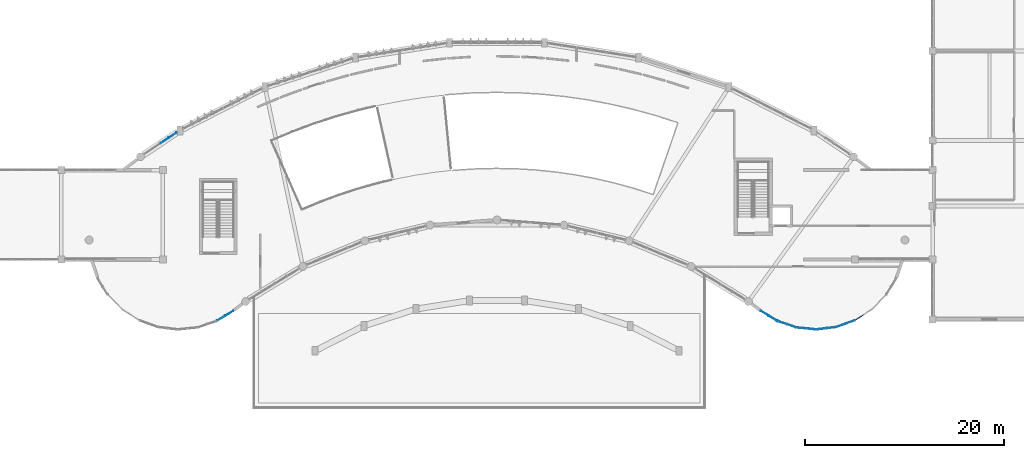
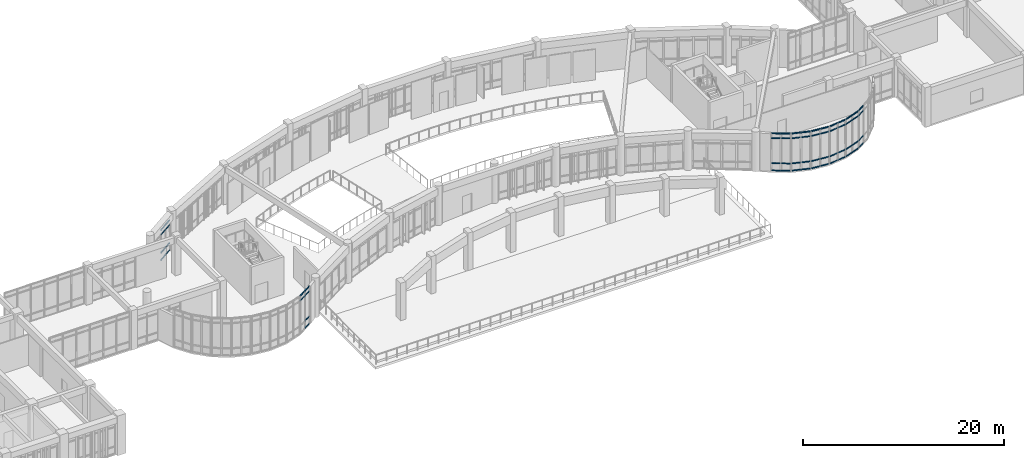
# One storey, part 34 of 65: 58 members, 8 elements without a shape of their own.
"""IFC4 building model written with IfcOpenShell, lengths in metres."""

from ifc_helpers import new_model, si_unit, direction, frame, origin, origin_2d, place, context, subcontext, project, spatial, rectangle, extrude, material, layer, layer_set, material_profile, profile_set, type_object, element, aggregate, save


model = new_model("IFC4")

# Units and contexts
model_context = context("Model", 3, precision=1e-05, world=origin(), true_north=direction((0.0, 1.0)))
body_context = subcontext(model_context, "Body", "Model", "MODEL_VIEW")
ifc_project = project(units=[si_unit("LENGTHUNIT", "METRE"), si_unit("AREAUNIT", "SQUARE_METRE"), si_unit("VOLUMEUNIT", "CUBIC_METRE"), si_unit("PLANEANGLEUNIT", "RADIAN"), si_unit("MASSUNIT", "GRAM", prefix="KILO")], contexts=[model_context])

# Site, building, storey
site_placement = place(None, origin())
site = spatial("IfcSite", under=ifc_project, at=site_placement, CompositionType="ELEMENT")
building_placement = place(site_placement, origin())
building = spatial("IfcBuilding", under=site, at=building_placement, Name="Miralva Faculty of Natural Sciences", CompositionType="ELEMENT")
storey_placement = place(building_placement, frame((0.0, 0.0, 10.199951171875)))
storey = spatial("IfcBuildingStorey", under=building, at=storey_placement, Name="L02", CompositionType="ELEMENT", Elevation=10.199951171875)

# Curtain wall, members
ifc_material_1 = material(Name="Laminated solar-control glass", Category="glass")
ifc_layer_1 = layer(ifc_material_1, 0.179931640625, Name="CW-ARC-L01")
ifc_layer_set_1 = layer_set([ifc_layer_1], Name="Laminated solar-control glass")
curtain_wall_type_1 = type_object("IfcCurtainWallType", Name="CW-ARC-L01", PredefinedType="USERDEFINED", material=ifc_layer_set_1)
curtain_wall_1_placement = place(storey_placement, origin())
curtain_wall_1 = element("IfcCurtainWall", 1, at=curtain_wall_1_placement, inside=storey, type_object=curtain_wall_type_1, Name="Curtain wall CW-02 L02-78", ObjectType="UNITISED CURTAIN WALL", PredefinedType="USERDEFINED")
ifc_material_2 = material(Name="Anodised aluminium", Category="aluminium")
ifc_material_profile = material_profile(ifc_material_2, rectangle(XDim=0.06005859375, YDim=0.1201171875, at=origin_2d()), Name="TRANSOM 60x120")
ifc_profile_set = profile_set([ifc_material_profile], Name="Anodised aluminium")
member_type = type_object("IfcMemberType", Name="CW-T02", PredefinedType="USERDEFINED", material=ifc_profile_set)
member_1_placement = place(storey_placement, frame((56.18603515625, 29.7138671875, 0.030029296875), z_axis=(0.831565381614, 0.555426877366, 0.0), x_axis=(-0.555426877366, 0.831565381614, 0.0)))
member_1 = element("IfcMember", 2, at=member_1_placement, type_object=member_type, Name="CW-02 transom 1.1", ObjectType="TRANSOM", PredefinedType="USERDEFINED", context=body_context, shape_type="SweptSolid", body=[
    extrude(rectangle(XDim=0.06005859375, YDim=0.1201171875, at=origin_2d()), origin(), (0.0, 0.0, 1.0), 0.93017578125),
])
member_2_placement = place(storey_placement, frame((56.18603515625, 29.7138671875, 0.900146484375), z_axis=(0.831565381614, 0.555426877366, 0.0), x_axis=(-0.555426877366, 0.831565381614, 0.0)))
member_2 = element("IfcMember", 3, at=member_2_placement, type_object=member_type, Name="CW-02 transom 1.2", ObjectType="TRANSOM", PredefinedType="USERDEFINED", context=body_context, shape_type="SweptSolid", body=[
    extrude(rectangle(XDim=0.06005859375, YDim=0.1201171875, at=origin_2d()), origin(), (0.0, 0.0, 1.0), 0.93017578125),
])
member_3_placement = place(storey_placement, frame((56.18603515625, 29.7138671875, 3.10498046875), z_axis=(0.831565381614, 0.555426877366, 0.0), x_axis=(-0.555426877366, 0.831565381614, 0.0)))
member_3 = element("IfcMember", 4, at=member_3_placement, type_object=member_type, Name="CW-02 transom 1.3", ObjectType="TRANSOM", PredefinedType="USERDEFINED", context=body_context, shape_type="SweptSolid", body=[
    extrude(rectangle(XDim=0.06005859375, YDim=0.1201171875, at=origin_2d()), origin(), (0.0, 0.0, 1.0), 0.93017578125),
])
member_4_placement = place(storey_placement, frame((56.18603515625, 29.7138671875, 3.675048828125), z_axis=(0.831565381614, 0.555426877366, 0.0), x_axis=(-0.555426877366, 0.831565381614, 0.0)))
member_4 = element("IfcMember", 5, at=member_4_placement, type_object=member_type, Name="CW-02 transom 1.4", ObjectType="TRANSOM", PredefinedType="USERDEFINED", context=body_context, shape_type="SweptSolid", body=[
    extrude(rectangle(XDim=0.06005859375, YDim=0.1201171875, at=origin_2d()), origin(), (0.0, 0.0, 1.0), 0.93017578125),
])
member_5_placement = place(storey_placement, frame((57.013427734375, 30.2666015625, 0.030029296875), z_axis=(0.831484377474, 0.555548134744, 0.0), x_axis=(-0.555548134744, 0.831484377474, 0.0)))
member_5 = element("IfcMember", 6, at=member_5_placement, type_object=member_type, Name="CW-02 transom 2.1", ObjectType="TRANSOM", PredefinedType="USERDEFINED", context=body_context, shape_type="SweptSolid", body=[
    extrude(rectangle(XDim=0.06005859375, YDim=0.1201171875, at=origin_2d()), origin(), (0.0, 0.0, 1.0), 0.929931640625),
])
member_6_placement = place(storey_placement, frame((57.013427734375, 30.2666015625, 0.900146484375), z_axis=(0.831484377474, 0.555548134744, 0.0), x_axis=(-0.555548134744, 0.831484377474, 0.0)))
member_6 = element("IfcMember", 7, at=member_6_placement, type_object=member_type, Name="CW-02 transom 2.2", ObjectType="TRANSOM", PredefinedType="USERDEFINED", context=body_context, shape_type="SweptSolid", body=[
    extrude(rectangle(XDim=0.06005859375, YDim=0.1201171875, at=origin_2d()), origin(), (0.0, 0.0, 1.0), 0.929931640625),
])
member_7_placement = place(storey_placement, frame((57.013427734375, 30.2666015625, 3.10498046875), z_axis=(0.831484377474, 0.555548134744, 0.0), x_axis=(-0.555548134744, 0.831484377474, 0.0)))
member_7 = element("IfcMember", 8, at=member_7_placement, type_object=member_type, Name="CW-02 transom 2.3", ObjectType="TRANSOM", PredefinedType="USERDEFINED", context=body_context, shape_type="SweptSolid", body=[
    extrude(rectangle(XDim=0.06005859375, YDim=0.1201171875, at=origin_2d()), origin(), (0.0, 0.0, 1.0), 0.929931640625),
])
member_8_placement = place(storey_placement, frame((57.013427734375, 30.2666015625, 3.675048828125), z_axis=(0.831484377474, 0.555548134744, 0.0), x_axis=(-0.555548134744, 0.831484377474, 0.0)))
member_8 = element("IfcMember", 9, at=member_8_placement, type_object=member_type, Name="CW-02 transom 2.4", ObjectType="TRANSOM", PredefinedType="USERDEFINED", context=body_context, shape_type="SweptSolid", body=[
    extrude(rectangle(XDim=0.06005859375, YDim=0.1201171875, at=origin_2d()), origin(), (0.0, 0.0, 1.0), 0.929931640625),
])
aggregate(curtain_wall_1, [member_1, member_2, member_3, member_4, member_5, member_6, member_7, member_8])

ifc_layer_2 = layer(ifc_material_1, 0.179931640625, Name="CW-RND-L01")
ifc_layer_set_2 = layer_set([ifc_layer_2], Name="Laminated solar-control glass")
curtain_wall_type_2 = type_object("IfcCurtainWallType", Name="CW-RND-L01", PredefinedType="USERDEFINED", material=ifc_layer_set_2)
curtain_wall_2_placement = place(storey_placement, origin())
curtain_wall_2 = element("IfcCurtainWall", 10, at=curtain_wall_2_placement, inside=storey, type_object=curtain_wall_type_2, Name="Curtain wall CW-05 L02-93", ObjectType="UNITISED CURTAIN WALL", PredefinedType="USERDEFINED")
member_9_placement = place(storey_placement, frame((61.864990234375, 11.86328125, 3.949951171875), z_axis=(0.852016327326, 0.52351521274, 0.0), x_axis=(-0.52351521274, 0.852016327326, 0.0)))
member_9 = element("IfcMember", 11, at=member_9_placement, type_object=member_type, Name="CW-05 transom 1.3", ObjectType="TRANSOM", PredefinedType="USERDEFINED", context=body_context, shape_type="SweptSolid", body=[
    extrude(rectangle(XDim=0.06005859375, YDim=0.1201171875, at=origin_2d()), origin(), (0.0, 0.0, 1.0), 0.91259765625),
])
member_10_placement = place(storey_placement, frame((61.864990234375, 11.86328125, 4.52001953125), z_axis=(0.852016327326, 0.52351521274, 0.0), x_axis=(-0.52351521274, 0.852016327326, 0.0)))
member_10 = element("IfcMember", 12, at=member_10_placement, type_object=member_type, Name="CW-05 transom 1.4", ObjectType="TRANSOM", PredefinedType="USERDEFINED", context=body_context, shape_type="SweptSolid", body=[
    extrude(rectangle(XDim=0.06005859375, YDim=0.1201171875, at=origin_2d()), origin(), (0.0, 0.0, 1.0), 0.91259765625),
])
member_11_placement = place(storey_placement, frame((62.697998046875, 12.375244140625, 0.030029296875), z_axis=(0.852016327326, 0.52351521274, 0.0), x_axis=(-0.52351521274, 0.852016327326, 0.0)))
member_11 = element("IfcMember", 13, at=member_11_placement, type_object=member_type, Name="CW-05 transom 2.1", ObjectType="TRANSOM", PredefinedType="USERDEFINED", context=body_context, shape_type="SweptSolid", body=[
    extrude(rectangle(XDim=0.06005859375, YDim=0.1201171875, at=origin_2d()), origin(), (0.0, 0.0, 1.0), 0.91259765625),
])
member_12_placement = place(storey_placement, frame((62.697998046875, 12.375244140625, 0.900146484375), z_axis=(0.852016327326, 0.52351521274, 0.0), x_axis=(-0.52351521274, 0.852016327326, 0.0)))
member_12 = element("IfcMember", 14, at=member_12_placement, type_object=member_type, Name="CW-05 transom 2.2", ObjectType="TRANSOM", PredefinedType="USERDEFINED", context=body_context, shape_type="SweptSolid", body=[
    extrude(rectangle(XDim=0.06005859375, YDim=0.1201171875, at=origin_2d()), origin(), (0.0, 0.0, 1.0), 0.91259765625),
])
member_13_placement = place(storey_placement, frame((62.697998046875, 12.375244140625, 3.949951171875), z_axis=(0.852016327326, 0.52351521274, 0.0), x_axis=(-0.52351521274, 0.852016327326, 0.0)))
member_13 = element("IfcMember", 15, at=member_13_placement, type_object=member_type, Name="CW-05 transom 2.3", ObjectType="TRANSOM", PredefinedType="USERDEFINED", context=body_context, shape_type="SweptSolid", body=[
    extrude(rectangle(XDim=0.06005859375, YDim=0.1201171875, at=origin_2d()), origin(), (0.0, 0.0, 1.0), 0.91259765625),
])
member_14_placement = place(storey_placement, frame((62.697998046875, 12.375244140625, 4.52001953125), z_axis=(0.852016327326, 0.52351521274, 0.0), x_axis=(-0.52351521274, 0.852016327326, 0.0)))
member_14 = element("IfcMember", 16, at=member_14_placement, type_object=member_type, Name="CW-05 transom 2.4", ObjectType="TRANSOM", PredefinedType="USERDEFINED", context=body_context, shape_type="SweptSolid", body=[
    extrude(rectangle(XDim=0.06005859375, YDim=0.1201171875, at=origin_2d()), origin(), (0.0, 0.0, 1.0), 0.91259765625),
])
aggregate(curtain_wall_2, [member_9, member_10, member_11, member_12, member_13, member_14])

curtain_wall_3_placement = place(storey_placement, origin())
curtain_wall_3 = element("IfcCurtainWall", 17, at=curtain_wall_3_placement, inside=storey, type_object=curtain_wall_type_2, Name="Curtain wall CW-05 L02-103", ObjectType="UNITISED CURTAIN WALL", PredefinedType="USERDEFINED")
member_15_placement = place(storey_placement, frame((126.0546875, 11.9423828125, 0.030029296875), z_axis=(0.841395718797, 0.540419507781, 0.0), x_axis=(-0.540419507781, 0.841395718797, 0.0)))
member_15 = element("IfcMember", 18, at=member_15_placement, type_object=member_type, Name="CW-05 transom 1.1", ObjectType="TRANSOM", PredefinedType="USERDEFINED", context=body_context, shape_type="SweptSolid", body=[
    extrude(rectangle(XDim=0.06005859375, YDim=0.1201171875, at=origin_2d()), origin(), (0.0, 0.0, 1.0), 0.91259765625),
])
member_16_placement = place(storey_placement, frame((126.0546875, 11.9423828125, 0.900146484375), z_axis=(0.841395718797, 0.540419507781, 0.0), x_axis=(-0.540419507781, 0.841395718797, 0.0)))
member_16 = element("IfcMember", 19, at=member_16_placement, type_object=member_type, Name="CW-05 transom 1.2", ObjectType="TRANSOM", PredefinedType="USERDEFINED", context=body_context, shape_type="SweptSolid", body=[
    extrude(rectangle(XDim=0.06005859375, YDim=0.1201171875, at=origin_2d()), origin(), (0.0, 0.0, 1.0), 0.91259765625),
])
member_17_placement = place(storey_placement, frame((126.0546875, 11.9423828125, 3.949951171875), z_axis=(0.841395718797, 0.540419507781, 0.0), x_axis=(-0.540419507781, 0.841395718797, 0.0)))
member_17 = element("IfcMember", 20, at=member_17_placement, type_object=member_type, Name="CW-05 transom 1.3", ObjectType="TRANSOM", PredefinedType="USERDEFINED", context=body_context, shape_type="SweptSolid", body=[
    extrude(rectangle(XDim=0.06005859375, YDim=0.1201171875, at=origin_2d()), origin(), (0.0, 0.0, 1.0), 0.91259765625),
])
member_18_placement = place(storey_placement, frame((126.0546875, 11.9423828125, 4.52001953125), z_axis=(0.841395718797, 0.540419507781, 0.0), x_axis=(-0.540419507781, 0.841395718797, 0.0)))
member_18 = element("IfcMember", 21, at=member_18_placement, type_object=member_type, Name="CW-05 transom 1.4", ObjectType="TRANSOM", PredefinedType="USERDEFINED", context=body_context, shape_type="SweptSolid", body=[
    extrude(rectangle(XDim=0.06005859375, YDim=0.1201171875, at=origin_2d()), origin(), (0.0, 0.0, 1.0), 0.91259765625),
])
aggregate(curtain_wall_3, [member_15, member_16, member_17, member_18])

curtain_wall_4_placement = place(storey_placement, origin())
curtain_wall_4 = element("IfcCurtainWall", 22, at=curtain_wall_4_placement, inside=storey, type_object=curtain_wall_type_2, Name="Curtain wall CW-05 L02-104", ObjectType="UNITISED CURTAIN WALL", PredefinedType="USERDEFINED")
member_19_placement = place(storey_placement, frame((124.16552734375, 11.24462890625, 0.030029296875), z_axis=(0.940525411881, 0.339723342744, 0.0), x_axis=(-0.339723342744, 0.940525411881, 0.0)))
member_19 = element("IfcMember", 23, at=member_19_placement, type_object=member_type, Name="CW-05 transom 1.1", ObjectType="TRANSOM", PredefinedType="USERDEFINED", context=body_context, shape_type="SweptSolid", body=[
    extrude(rectangle(XDim=0.06005859375, YDim=0.1201171875, at=origin_2d()), origin(), (0.0, 0.0, 1.0), 0.91259765625),
])
member_20_placement = place(storey_placement, frame((124.16552734375, 11.24462890625, 0.900146484375), z_axis=(0.940525411881, 0.339723342744, 0.0), x_axis=(-0.339723342744, 0.940525411881, 0.0)))
member_20 = element("IfcMember", 24, at=member_20_placement, type_object=member_type, Name="CW-05 transom 1.2", ObjectType="TRANSOM", PredefinedType="USERDEFINED", context=body_context, shape_type="SweptSolid", body=[
    extrude(rectangle(XDim=0.06005859375, YDim=0.1201171875, at=origin_2d()), origin(), (0.0, 0.0, 1.0), 0.91259765625),
])
member_21_placement = place(storey_placement, frame((124.16552734375, 11.24462890625, 3.949951171875), z_axis=(0.940525411881, 0.339723342744, 0.0), x_axis=(-0.339723342744, 0.940525411881, 0.0)))
member_21 = element("IfcMember", 25, at=member_21_placement, type_object=member_type, Name="CW-05 transom 1.3", ObjectType="TRANSOM", PredefinedType="USERDEFINED", context=body_context, shape_type="SweptSolid", body=[
    extrude(rectangle(XDim=0.06005859375, YDim=0.1201171875, at=origin_2d()), origin(), (0.0, 0.0, 1.0), 0.91259765625),
])
member_22_placement = place(storey_placement, frame((124.16552734375, 11.24462890625, 4.52001953125), z_axis=(0.940525411881, 0.339723342744, 0.0), x_axis=(-0.339723342744, 0.940525411881, 0.0)))
member_22 = element("IfcMember", 26, at=member_22_placement, type_object=member_type, Name="CW-05 transom 1.4", ObjectType="TRANSOM", PredefinedType="USERDEFINED", context=body_context, shape_type="SweptSolid", body=[
    extrude(rectangle(XDim=0.06005859375, YDim=0.1201171875, at=origin_2d()), origin(), (0.0, 0.0, 1.0), 0.91259765625),
])
member_23_placement = place(storey_placement, frame((125.085205078125, 11.576904296875, 0.030029296875), z_axis=(0.94061086064, 0.339486684344, 0.0), x_axis=(-0.339486684344, 0.94061086064, 0.0)))
member_23 = element("IfcMember", 27, at=member_23_placement, type_object=member_type, Name="CW-05 transom 2.1", ObjectType="TRANSOM", PredefinedType="USERDEFINED", context=body_context, shape_type="SweptSolid", body=[
    extrude(rectangle(XDim=0.06005859375, YDim=0.1201171875, at=origin_2d()), origin(), (0.0, 0.0, 1.0), 0.91259765625),
])
member_24_placement = place(storey_placement, frame((125.085205078125, 11.576904296875, 0.900146484375), z_axis=(0.94061086064, 0.339486684344, 0.0), x_axis=(-0.339486684344, 0.94061086064, 0.0)))
member_24 = element("IfcMember", 28, at=member_24_placement, type_object=member_type, Name="CW-05 transom 2.2", ObjectType="TRANSOM", PredefinedType="USERDEFINED", context=body_context, shape_type="SweptSolid", body=[
    extrude(rectangle(XDim=0.06005859375, YDim=0.1201171875, at=origin_2d()), origin(), (0.0, 0.0, 1.0), 0.91259765625),
])
member_25_placement = place(storey_placement, frame((125.085205078125, 11.576904296875, 3.949951171875), z_axis=(0.94061086064, 0.339486684344, 0.0), x_axis=(-0.339486684344, 0.94061086064, 0.0)))
member_25 = element("IfcMember", 29, at=member_25_placement, type_object=member_type, Name="CW-05 transom 2.3", ObjectType="TRANSOM", PredefinedType="USERDEFINED", context=body_context, shape_type="SweptSolid", body=[
    extrude(rectangle(XDim=0.06005859375, YDim=0.1201171875, at=origin_2d()), origin(), (0.0, 0.0, 1.0), 0.91259765625),
])
member_26_placement = place(storey_placement, frame((125.085205078125, 11.576904296875, 4.52001953125), z_axis=(0.94061086064, 0.339486684344, 0.0), x_axis=(-0.339486684344, 0.94061086064, 0.0)))
member_26 = element("IfcMember", 30, at=member_26_placement, type_object=member_type, Name="CW-05 transom 2.4", ObjectType="TRANSOM", PredefinedType="USERDEFINED", context=body_context, shape_type="SweptSolid", body=[
    extrude(rectangle(XDim=0.06005859375, YDim=0.1201171875, at=origin_2d()), origin(), (0.0, 0.0, 1.0), 0.91259765625),
])
aggregate(curtain_wall_4, [member_19, member_20, member_21, member_22, member_23, member_24, member_25, member_26])

curtain_wall_5_placement = place(storey_placement, origin())
curtain_wall_5 = element("IfcCurtainWall", 31, at=curtain_wall_5_placement, inside=storey, type_object=curtain_wall_type_2, Name="Curtain wall CW-05 L02-105", ObjectType="UNITISED CURTAIN WALL", PredefinedType="USERDEFINED")
member_27_placement = place(storey_placement, frame((122.168701171875, 10.98486328125, 0.030029296875), z_axis=(0.992534937681, 0.121960639068, 0.0), x_axis=(-0.121960639068, 0.992534937681, 0.0)))
member_27 = element("IfcMember", 32, at=member_27_placement, type_object=member_type, Name="CW-05 transom 1.1", ObjectType="TRANSOM", PredefinedType="USERDEFINED", context=body_context, shape_type="SweptSolid", body=[
    extrude(rectangle(XDim=0.06005859375, YDim=0.1201171875, at=origin_2d()), origin(), (0.0, 0.0, 1.0), 0.912841796875),
])
member_28_placement = place(storey_placement, frame((122.168701171875, 10.98486328125, 0.900146484375), z_axis=(0.992534937681, 0.121960639068, 0.0), x_axis=(-0.121960639068, 0.992534937681, 0.0)))
member_28 = element("IfcMember", 33, at=member_28_placement, type_object=member_type, Name="CW-05 transom 1.2", ObjectType="TRANSOM", PredefinedType="USERDEFINED", context=body_context, shape_type="SweptSolid", body=[
    extrude(rectangle(XDim=0.06005859375, YDim=0.1201171875, at=origin_2d()), origin(), (0.0, 0.0, 1.0), 0.912841796875),
])
member_29_placement = place(storey_placement, frame((122.168701171875, 10.98486328125, 3.949951171875), z_axis=(0.992534937681, 0.121960639068, 0.0), x_axis=(-0.121960639068, 0.992534937681, 0.0)))
member_29 = element("IfcMember", 34, at=member_29_placement, type_object=member_type, Name="CW-05 transom 1.3", ObjectType="TRANSOM", PredefinedType="USERDEFINED", context=body_context, shape_type="SweptSolid", body=[
    extrude(rectangle(XDim=0.06005859375, YDim=0.1201171875, at=origin_2d()), origin(), (0.0, 0.0, 1.0), 0.912841796875),
])
member_30_placement = place(storey_placement, frame((122.168701171875, 10.98486328125, 4.52001953125), z_axis=(0.992534937681, 0.121960639068, 0.0), x_axis=(-0.121960639068, 0.992534937681, 0.0)))
member_30 = element("IfcMember", 35, at=member_30_placement, type_object=member_type, Name="CW-05 transom 1.4", ObjectType="TRANSOM", PredefinedType="USERDEFINED", context=body_context, shape_type="SweptSolid", body=[
    extrude(rectangle(XDim=0.06005859375, YDim=0.1201171875, at=origin_2d()), origin(), (0.0, 0.0, 1.0), 0.912841796875),
])
member_31_placement = place(storey_placement, frame((123.13916015625, 11.10400390625, 0.030029296875), z_axis=(0.992530957827, 0.121993023388, 0.0), x_axis=(-0.121993023388, 0.992530957827, 0.0)))
member_31 = element("IfcMember", 36, at=member_31_placement, type_object=member_type, Name="CW-05 transom 2.1", ObjectType="TRANSOM", PredefinedType="USERDEFINED", context=body_context, shape_type="SweptSolid", body=[
    extrude(rectangle(XDim=0.06005859375, YDim=0.1201171875, at=origin_2d()), origin(), (0.0, 0.0, 1.0), 0.91259765625),
])
member_32_placement = place(storey_placement, frame((123.13916015625, 11.10400390625, 0.900146484375), z_axis=(0.992530957827, 0.121993023388, 0.0), x_axis=(-0.121993023388, 0.992530957827, 0.0)))
member_32 = element("IfcMember", 37, at=member_32_placement, type_object=member_type, Name="CW-05 transom 2.2", ObjectType="TRANSOM", PredefinedType="USERDEFINED", context=body_context, shape_type="SweptSolid", body=[
    extrude(rectangle(XDim=0.06005859375, YDim=0.1201171875, at=origin_2d()), origin(), (0.0, 0.0, 1.0), 0.91259765625),
])
member_33_placement = place(storey_placement, frame((123.13916015625, 11.10400390625, 3.949951171875), z_axis=(0.992530957827, 0.121993023388, 0.0), x_axis=(-0.121993023388, 0.992530957827, 0.0)))
member_33 = element("IfcMember", 38, at=member_33_placement, type_object=member_type, Name="CW-05 transom 2.3", ObjectType="TRANSOM", PredefinedType="USERDEFINED", context=body_context, shape_type="SweptSolid", body=[
    extrude(rectangle(XDim=0.06005859375, YDim=0.1201171875, at=origin_2d()), origin(), (0.0, 0.0, 1.0), 0.91259765625),
])
member_34_placement = place(storey_placement, frame((123.13916015625, 11.10400390625, 4.52001953125), z_axis=(0.992530957827, 0.121993023388, 0.0), x_axis=(-0.121993023388, 0.992530957827, 0.0)))
member_34 = element("IfcMember", 39, at=member_34_placement, type_object=member_type, Name="CW-05 transom 2.4", ObjectType="TRANSOM", PredefinedType="USERDEFINED", context=body_context, shape_type="SweptSolid", body=[
    extrude(rectangle(XDim=0.06005859375, YDim=0.1201171875, at=origin_2d()), origin(), (0.0, 0.0, 1.0), 0.91259765625),
])
aggregate(curtain_wall_5, [member_27, member_28, member_29, member_30, member_31, member_32, member_33, member_34])

curtain_wall_6_placement = place(storey_placement, origin())
curtain_wall_6 = element("IfcCurtainWall", 40, at=curtain_wall_6_placement, inside=storey, type_object=curtain_wall_type_2, Name="Curtain wall CW-05 L02-106", ObjectType="UNITISED CURTAIN WALL", PredefinedType="USERDEFINED")
member_35_placement = place(storey_placement, frame((120.1640625, 11.176025390625, 0.030029296875), z_axis=(0.994793266196, -0.101913480619, 0.0), x_axis=(0.101913480619, 0.994793266196, 0.0)))
member_35 = element("IfcMember", 41, at=member_35_placement, type_object=member_type, Name="CW-05 transom 1.1", ObjectType="TRANSOM", PredefinedType="USERDEFINED", context=body_context, shape_type="SweptSolid", body=[
    extrude(rectangle(XDim=0.06005859375, YDim=0.1201171875, at=origin_2d()), origin(), (0.0, 0.0, 1.0), 0.91259765625),
])
member_36_placement = place(storey_placement, frame((120.1640625, 11.176025390625, 0.900146484375), z_axis=(0.994793266196, -0.101913480619, 0.0), x_axis=(0.101913480619, 0.994793266196, 0.0)))
member_36 = element("IfcMember", 42, at=member_36_placement, type_object=member_type, Name="CW-05 transom 1.2", ObjectType="TRANSOM", PredefinedType="USERDEFINED", context=body_context, shape_type="SweptSolid", body=[
    extrude(rectangle(XDim=0.06005859375, YDim=0.1201171875, at=origin_2d()), origin(), (0.0, 0.0, 1.0), 0.91259765625),
])
member_37_placement = place(storey_placement, frame((120.1640625, 11.176025390625, 3.949951171875), z_axis=(0.994793266196, -0.101913480619, 0.0), x_axis=(0.101913480619, 0.994793266196, 0.0)))
member_37 = element("IfcMember", 43, at=member_37_placement, type_object=member_type, Name="CW-05 transom 1.3", ObjectType="TRANSOM", PredefinedType="USERDEFINED", context=body_context, shape_type="SweptSolid", body=[
    extrude(rectangle(XDim=0.06005859375, YDim=0.1201171875, at=origin_2d()), origin(), (0.0, 0.0, 1.0), 0.91259765625),
])
member_38_placement = place(storey_placement, frame((120.1640625, 11.176025390625, 4.52001953125), z_axis=(0.994793266196, -0.101913480619, 0.0), x_axis=(0.101913480619, 0.994793266196, 0.0)))
member_38 = element("IfcMember", 44, at=member_38_placement, type_object=member_type, Name="CW-05 transom 1.4", ObjectType="TRANSOM", PredefinedType="USERDEFINED", context=body_context, shape_type="SweptSolid", body=[
    extrude(rectangle(XDim=0.06005859375, YDim=0.1201171875, at=origin_2d()), origin(), (0.0, 0.0, 1.0), 0.91259765625),
])
member_39_placement = place(storey_placement, frame((121.136474609375, 11.076171875, 0.030029296875), z_axis=(0.994793266196, -0.101913480619, 0.0), x_axis=(0.101913480619, 0.994793266196, 0.0)))
member_39 = element("IfcMember", 45, at=member_39_placement, type_object=member_type, Name="CW-05 transom 2.1", ObjectType="TRANSOM", PredefinedType="USERDEFINED", context=body_context, shape_type="SweptSolid", body=[
    extrude(rectangle(XDim=0.06005859375, YDim=0.1201171875, at=origin_2d()), origin(), (0.0, 0.0, 1.0), 0.91259765625),
])
member_40_placement = place(storey_placement, frame((121.136474609375, 11.076171875, 0.900146484375), z_axis=(0.994793266196, -0.101913480619, 0.0), x_axis=(0.101913480619, 0.994793266196, 0.0)))
member_40 = element("IfcMember", 46, at=member_40_placement, type_object=member_type, Name="CW-05 transom 2.2", ObjectType="TRANSOM", PredefinedType="USERDEFINED", context=body_context, shape_type="SweptSolid", body=[
    extrude(rectangle(XDim=0.06005859375, YDim=0.1201171875, at=origin_2d()), origin(), (0.0, 0.0, 1.0), 0.91259765625),
])
member_41_placement = place(storey_placement, frame((121.136474609375, 11.076171875, 3.949951171875), z_axis=(0.994793266196, -0.101913480619, 0.0), x_axis=(0.101913480619, 0.994793266196, 0.0)))
member_41 = element("IfcMember", 47, at=member_41_placement, type_object=member_type, Name="CW-05 transom 2.3", ObjectType="TRANSOM", PredefinedType="USERDEFINED", context=body_context, shape_type="SweptSolid", body=[
    extrude(rectangle(XDim=0.06005859375, YDim=0.1201171875, at=origin_2d()), origin(), (0.0, 0.0, 1.0), 0.91259765625),
])
member_42_placement = place(storey_placement, frame((121.136474609375, 11.076171875, 4.52001953125), z_axis=(0.994793266196, -0.101913480619, 0.0), x_axis=(0.101913480619, 0.994793266196, 0.0)))
member_42 = element("IfcMember", 48, at=member_42_placement, type_object=member_type, Name="CW-05 transom 2.4", ObjectType="TRANSOM", PredefinedType="USERDEFINED", context=body_context, shape_type="SweptSolid", body=[
    extrude(rectangle(XDim=0.06005859375, YDim=0.1201171875, at=origin_2d()), origin(), (0.0, 0.0, 1.0), 0.91259765625),
])
aggregate(curtain_wall_6, [member_35, member_36, member_37, member_38, member_39, member_40, member_41, member_42])

curtain_wall_7_placement = place(storey_placement, origin())
curtain_wall_7 = element("IfcCurtainWall", 49, at=curtain_wall_7_placement, inside=storey, type_object=curtain_wall_type_2, Name="Curtain wall CW-05 L02-107", ObjectType="UNITISED CURTAIN WALL", PredefinedType="USERDEFINED")
member_43_placement = place(storey_placement, frame((118.251953125, 11.808349609375, 0.030029296875), z_axis=(0.947174722358, -0.32071801528, 0.0), x_axis=(0.32071801528, 0.947174722358, 0.0)))
member_43 = element("IfcMember", 50, at=member_43_placement, type_object=member_type, Name="CW-05 transom 1.1", ObjectType="TRANSOM", PredefinedType="USERDEFINED", context=body_context, shape_type="SweptSolid", body=[
    extrude(rectangle(XDim=0.06005859375, YDim=0.1201171875, at=origin_2d()), origin(), (0.0, 0.0, 1.0), 0.91259765625),
])
member_44_placement = place(storey_placement, frame((118.251953125, 11.808349609375, 0.900146484375), z_axis=(0.947174722358, -0.32071801528, 0.0), x_axis=(0.32071801528, 0.947174722358, 0.0)))
member_44 = element("IfcMember", 51, at=member_44_placement, type_object=member_type, Name="CW-05 transom 1.2", ObjectType="TRANSOM", PredefinedType="USERDEFINED", context=body_context, shape_type="SweptSolid", body=[
    extrude(rectangle(XDim=0.06005859375, YDim=0.1201171875, at=origin_2d()), origin(), (0.0, 0.0, 1.0), 0.91259765625),
])
member_45_placement = place(storey_placement, frame((118.251953125, 11.808349609375, 3.949951171875), z_axis=(0.947174722358, -0.32071801528, 0.0), x_axis=(0.32071801528, 0.947174722358, 0.0)))
member_45 = element("IfcMember", 52, at=member_45_placement, type_object=member_type, Name="CW-05 transom 1.3", ObjectType="TRANSOM", PredefinedType="USERDEFINED", context=body_context, shape_type="SweptSolid", body=[
    extrude(rectangle(XDim=0.06005859375, YDim=0.1201171875, at=origin_2d()), origin(), (0.0, 0.0, 1.0), 0.91259765625),
])
member_46_placement = place(storey_placement, frame((118.251953125, 11.808349609375, 4.52001953125), z_axis=(0.947174722358, -0.32071801528, 0.0), x_axis=(0.32071801528, 0.947174722358, 0.0)))
member_46 = element("IfcMember", 53, at=member_46_placement, type_object=member_type, Name="CW-05 transom 1.4", ObjectType="TRANSOM", PredefinedType="USERDEFINED", context=body_context, shape_type="SweptSolid", body=[
    extrude(rectangle(XDim=0.06005859375, YDim=0.1201171875, at=origin_2d()), origin(), (0.0, 0.0, 1.0), 0.91259765625),
])
member_47_placement = place(storey_placement, frame((119.177978515625, 11.494873046875, 0.030029296875), z_axis=(0.947093442527, -0.320957958496, 0.0), x_axis=(0.320957958496, 0.947093442527, 0.0)))
member_47 = element("IfcMember", 54, at=member_47_placement, type_object=member_type, Name="CW-05 transom 2.1", ObjectType="TRANSOM", PredefinedType="USERDEFINED", context=body_context, shape_type="SweptSolid", body=[
    extrude(rectangle(XDim=0.06005859375, YDim=0.1201171875, at=origin_2d()), origin(), (0.0, 0.0, 1.0), 0.912841796875),
])
member_48_placement = place(storey_placement, frame((119.177978515625, 11.494873046875, 0.900146484375), z_axis=(0.947093442527, -0.320957958496, 0.0), x_axis=(0.320957958496, 0.947093442527, 0.0)))
member_48 = element("IfcMember", 55, at=member_48_placement, type_object=member_type, Name="CW-05 transom 2.2", ObjectType="TRANSOM", PredefinedType="USERDEFINED", context=body_context, shape_type="SweptSolid", body=[
    extrude(rectangle(XDim=0.06005859375, YDim=0.1201171875, at=origin_2d()), origin(), (0.0, 0.0, 1.0), 0.912841796875),
])
member_49_placement = place(storey_placement, frame((119.177978515625, 11.494873046875, 3.949951171875), z_axis=(0.947093442527, -0.320957958496, 0.0), x_axis=(0.320957958496, 0.947093442527, 0.0)))
member_49 = element("IfcMember", 56, at=member_49_placement, type_object=member_type, Name="CW-05 transom 2.3", ObjectType="TRANSOM", PredefinedType="USERDEFINED", context=body_context, shape_type="SweptSolid", body=[
    extrude(rectangle(XDim=0.06005859375, YDim=0.1201171875, at=origin_2d()), origin(), (0.0, 0.0, 1.0), 0.912841796875),
])
member_50_placement = place(storey_placement, frame((119.177978515625, 11.494873046875, 4.52001953125), z_axis=(0.947093442527, -0.320957958496, 0.0), x_axis=(0.320957958496, 0.947093442527, 0.0)))
member_50 = element("IfcMember", 57, at=member_50_placement, type_object=member_type, Name="CW-05 transom 2.4", ObjectType="TRANSOM", PredefinedType="USERDEFINED", context=body_context, shape_type="SweptSolid", body=[
    extrude(rectangle(XDim=0.06005859375, YDim=0.1201171875, at=origin_2d()), origin(), (0.0, 0.0, 1.0), 0.912841796875),
])
aggregate(curtain_wall_7, [member_43, member_44, member_45, member_46, member_47, member_48, member_49, member_50])

curtain_wall_8_placement = place(storey_placement, origin())
curtain_wall_8 = element("IfcCurtainWall", 58, at=curtain_wall_8_placement, inside=storey, type_object=curtain_wall_type_2, Name="Curtain wall CW-05 L02-108", ObjectType="UNITISED CURTAIN WALL", PredefinedType="USERDEFINED")
member_51_placement = place(storey_placement, frame((116.5244140625, 12.85302734375, 0.030029296875), z_axis=(0.852079385705, -0.523412571933, 0.0), x_axis=(0.523412571933, 0.852079385705, 0.0)))
member_51 = element("IfcMember", 59, at=member_51_placement, type_object=member_type, Name="CW-05 transom 1.1", ObjectType="TRANSOM", PredefinedType="USERDEFINED", context=body_context, shape_type="SweptSolid", body=[
    extrude(rectangle(XDim=0.06005859375, YDim=0.1201171875, at=origin_2d()), origin(), (0.0, 0.0, 1.0), 0.9150390625),
])
member_52_placement = place(storey_placement, frame((116.5244140625, 12.85302734375, 0.900146484375), z_axis=(0.852079385705, -0.523412571933, 0.0), x_axis=(0.523412571933, 0.852079385705, 0.0)))
member_52 = element("IfcMember", 60, at=member_52_placement, type_object=member_type, Name="CW-05 transom 1.2", ObjectType="TRANSOM", PredefinedType="USERDEFINED", context=body_context, shape_type="SweptSolid", body=[
    extrude(rectangle(XDim=0.06005859375, YDim=0.1201171875, at=origin_2d()), origin(), (0.0, 0.0, 1.0), 0.9150390625),
])
member_53_placement = place(storey_placement, frame((116.5244140625, 12.85302734375, 3.949951171875), z_axis=(0.852079385705, -0.523412571933, 0.0), x_axis=(0.523412571933, 0.852079385705, 0.0)))
member_53 = element("IfcMember", 61, at=member_53_placement, type_object=member_type, Name="CW-05 transom 1.3", ObjectType="TRANSOM", PredefinedType="USERDEFINED", context=body_context, shape_type="SweptSolid", body=[
    extrude(rectangle(XDim=0.06005859375, YDim=0.1201171875, at=origin_2d()), origin(), (0.0, 0.0, 1.0), 0.9150390625),
])
member_54_placement = place(storey_placement, frame((116.5244140625, 12.85302734375, 4.52001953125), z_axis=(0.852079385705, -0.523412571933, 0.0), x_axis=(0.523412571933, 0.852079385705, 0.0)))
member_54 = element("IfcMember", 62, at=member_54_placement, type_object=member_type, Name="CW-05 transom 1.4", ObjectType="TRANSOM", PredefinedType="USERDEFINED", context=body_context, shape_type="SweptSolid", body=[
    extrude(rectangle(XDim=0.06005859375, YDim=0.1201171875, at=origin_2d()), origin(), (0.0, 0.0, 1.0), 0.9150390625),
])
member_55_placement = place(storey_placement, frame((117.359619140625, 12.33984375, 0.030029296875), z_axis=(0.852079385705, -0.523412571933, 0.0), x_axis=(0.523412571933, 0.852079385705, 0.0)))
member_55 = element("IfcMember", 63, at=member_55_placement, type_object=member_type, Name="CW-05 transom 2.1", ObjectType="TRANSOM", PredefinedType="USERDEFINED", context=body_context, shape_type="SweptSolid", body=[
    extrude(rectangle(XDim=0.06005859375, YDim=0.1201171875, at=origin_2d()), origin(), (0.0, 0.0, 1.0), 0.9150390625),
])
member_56_placement = place(storey_placement, frame((117.359619140625, 12.33984375, 0.900146484375), z_axis=(0.852079385705, -0.523412571933, 0.0), x_axis=(0.523412571933, 0.852079385705, 0.0)))
member_56 = element("IfcMember", 64, at=member_56_placement, type_object=member_type, Name="CW-05 transom 2.2", ObjectType="TRANSOM", PredefinedType="USERDEFINED", context=body_context, shape_type="SweptSolid", body=[
    extrude(rectangle(XDim=0.06005859375, YDim=0.1201171875, at=origin_2d()), origin(), (0.0, 0.0, 1.0), 0.9150390625),
])
member_57_placement = place(storey_placement, frame((117.359619140625, 12.33984375, 3.949951171875), z_axis=(0.852079385705, -0.523412571933, 0.0), x_axis=(0.523412571933, 0.852079385705, 0.0)))
member_57 = element("IfcMember", 65, at=member_57_placement, type_object=member_type, Name="CW-05 transom 2.3", ObjectType="TRANSOM", PredefinedType="USERDEFINED", context=body_context, shape_type="SweptSolid", body=[
    extrude(rectangle(XDim=0.06005859375, YDim=0.1201171875, at=origin_2d()), origin(), (0.0, 0.0, 1.0), 0.9150390625),
])
member_58_placement = place(storey_placement, frame((117.359619140625, 12.33984375, 4.52001953125), z_axis=(0.852079385705, -0.523412571933, 0.0), x_axis=(0.523412571933, 0.852079385705, 0.0)))
member_58 = element("IfcMember", 66, at=member_58_placement, type_object=member_type, Name="CW-05 transom 2.4", ObjectType="TRANSOM", PredefinedType="USERDEFINED", context=body_context, shape_type="SweptSolid", body=[
    extrude(rectangle(XDim=0.06005859375, YDim=0.1201171875, at=origin_2d()), origin(), (0.0, 0.0, 1.0), 0.9150390625),
])
aggregate(curtain_wall_8, [member_51, member_52, member_53, member_54, member_55, member_56, member_57, member_58])

save(model, "model.ifc")
